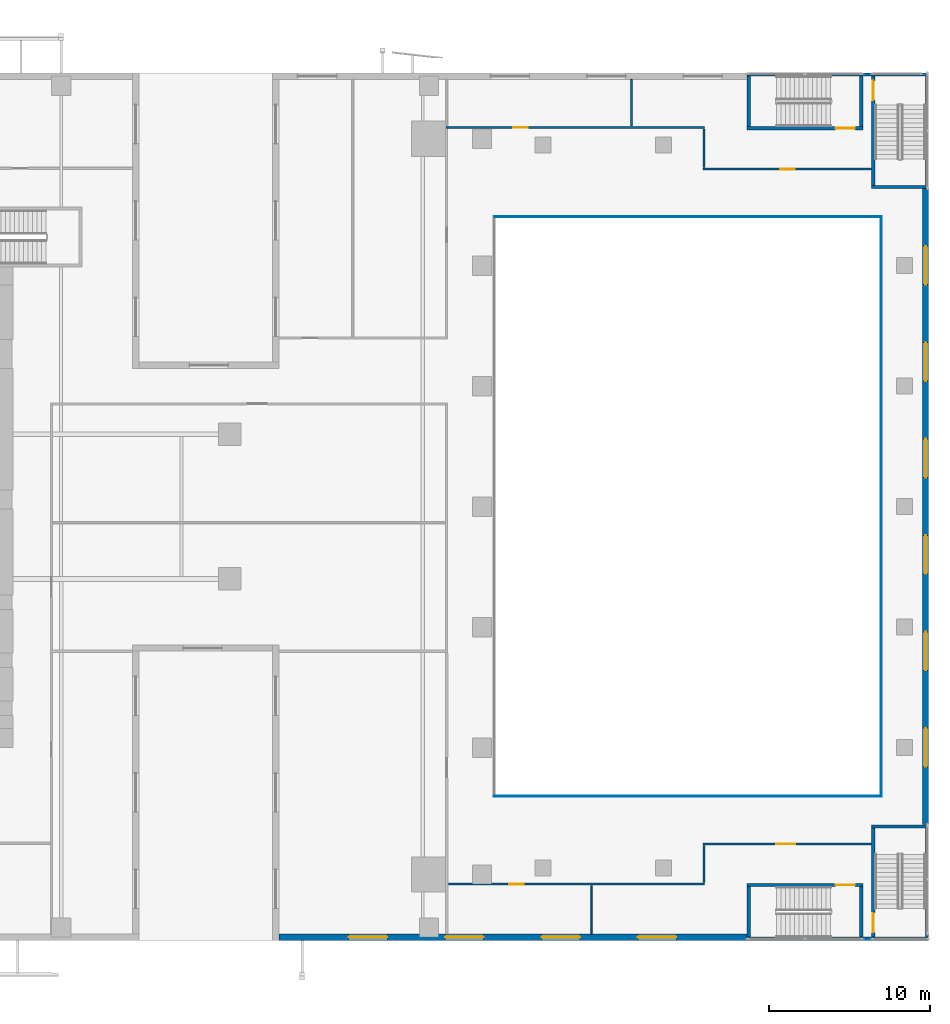
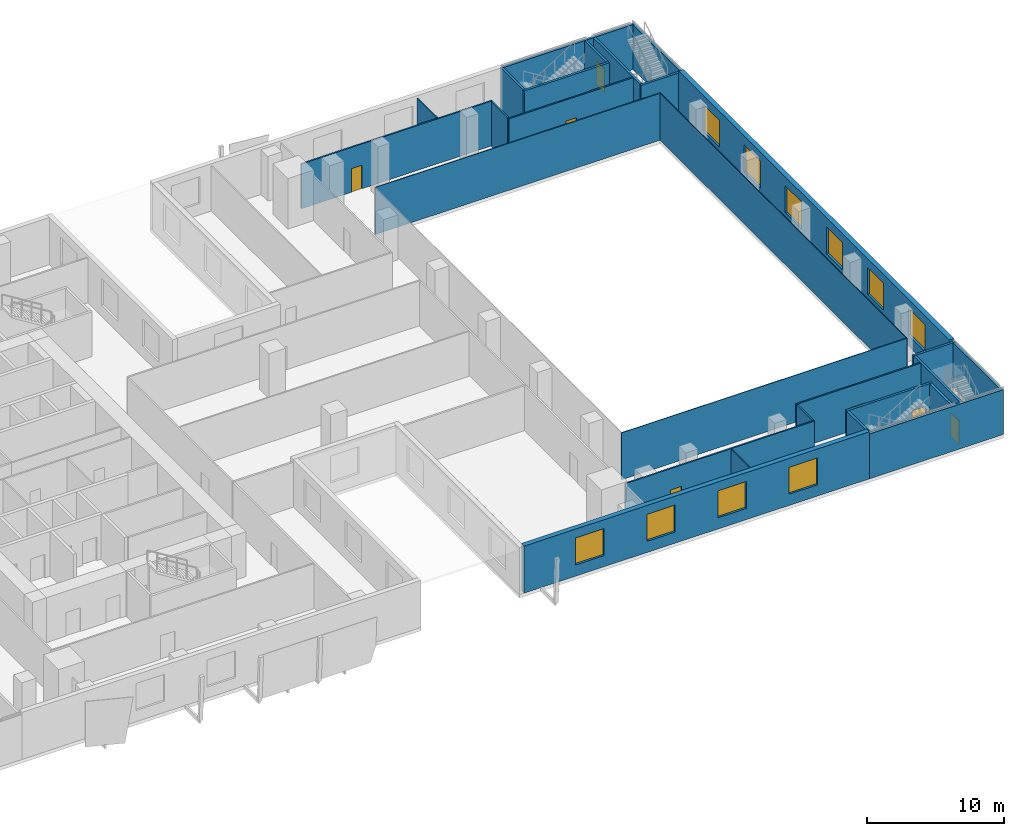
# One storey, part 14 of 21: 27 walls, 10 windows, 8 doors, 18 openings.
"""IFC4 building model written with IfcOpenShell, lengths in metres."""

from ifc_helpers import new_model, si_unit, direction, frame, frame_2d, origin, place, context, subcontext, project, spatial, rectangle, extrude, source, transform, mapped, material, layer, layer_set, type_object, element, fill, save


model = new_model("IFC4")

# Units and contexts
model_context = context("Model", 3, precision=1e-05, world=origin(), true_north=direction((0.0, 1.0)))
body_context = subcontext(model_context, "Body", "Model", "MODEL_VIEW")
ifc_project = project(units=[si_unit("LENGTHUNIT", "METRE"), si_unit("AREAUNIT", "SQUARE_METRE"), si_unit("VOLUMEUNIT", "CUBIC_METRE"), si_unit("PLANEANGLEUNIT", "RADIAN"), si_unit("MASSUNIT", "GRAM", prefix="KILO")], contexts=[model_context])

# Site, building, storey
site_placement = place(None, origin())
site = spatial("IfcSite", under=ifc_project, at=site_placement, CompositionType="ELEMENT")
building_placement = place(site_placement, origin())
building = spatial("IfcBuilding", under=site, at=building_placement, Name="Khomas Fold Tower", CompositionType="ELEMENT")
storey_placement = place(building_placement, frame((0.0, 0.0, 28.5)))
storey = spatial("IfcBuildingStorey", under=building, at=storey_placement, Name="L05", CompositionType="ELEMENT", Elevation=28.5)

# Wall, openings, windows
ifc_material_1 = material(Name="Concrete C40/50", Category="concrete")
ifc_layer_1 = layer(ifc_material_1, 0.39990234375)
ifc_layer_set_1 = layer_set([ifc_layer_1], Name="Concrete C40/50")
wall_type_1 = type_object("IfcWallType", Name="Stone-clad concrete wall 400", PredefinedType="SOLIDWALL", material=ifc_layer_set_1)
shared_shape_1 = source(origin(), body_context, "Body", "SweptSolid", [
    extrude(rectangle(XDim=29.139892578125, YDim=0.39990234375, at=frame_2d((14.56982421875, 0.0))), origin(), (0.0, 0.0, 1.0), 4.199951171875),
])
wall_1_placement = place(storey_placement, frame((40.550048828125, 0.199951171875, 0.0), z_axis=(0.0, 0.0, 1.0), x_axis=(1.0, 0.0, 0.0)))
wall_1 = element("IfcWall", 1, at=wall_1_placement, inside=storey, type_object=wall_type_1, Name="Podium wall", PredefinedType="SOLIDWALL", context=body_context, shape_type="MappedRepresentation", body=[
    mapped(shared_shape_1, transform((0.0, 0.0, 0.0))),
])
shared_shape_2 = source(origin(), body_context, "Body", "SweptSolid", [
    extrude(rectangle(XDim=2.39990234375, YDim=2.39990234375, at=frame_2d((1.199951171875, 1.199951171875))), frame((0.0, 0.2099609375, 0.0), z_axis=(0.0, -1.0, 0.0), x_axis=(1.0, 0.0, 0.0)), (0.0, 0.0, 1.0), 0.419921875),
])
opening_1_placement = place(wall_1_placement, frame((4.35009765625, 0.0, 1.0)))
opening_1 = element("IfcOpeningElement", 2, at=opening_1_placement, cuts=wall_1, Name="Opening PD-WN", PredefinedType="OPENING", context=body_context, shape_type="MappedRepresentation", body=[
    mapped(shared_shape_2, transform((0.0, 0.0, 0.0))),
])
opening_2_placement = place(wall_1_placement, frame((10.35009765625, 0.0, 1.0)))
opening_2 = element("IfcOpeningElement", 3, at=opening_2_placement, cuts=wall_1, Name="Opening PD-WN", PredefinedType="OPENING", context=body_context, shape_type="MappedRepresentation", body=[
    mapped(shared_shape_2, transform((0.0, 0.0, 0.0))),
])
opening_3_placement = place(wall_1_placement, frame((16.35009765625, 0.0, 1.0)))
opening_3 = element("IfcOpeningElement", 4, at=opening_3_placement, cuts=wall_1, Name="Opening PD-WN", PredefinedType="OPENING", context=body_context, shape_type="MappedRepresentation", body=[
    mapped(shared_shape_2, transform((0.0, 0.0, 0.0))),
])
opening_4_placement = place(wall_1_placement, frame((22.35009765625, 0.0, 1.0)))
opening_4 = element("IfcOpeningElement", 5, at=opening_4_placement, cuts=wall_1, Name="Opening PD-WN", PredefinedType="OPENING", context=body_context, shape_type="MappedRepresentation", body=[
    mapped(shared_shape_2, transform((0.0, 0.0, 0.0))),
])
ifc_material_2 = material(Name="Aluminium framed double glazing", Category="aluminium")
window_type = type_object("IfcWindowType", Name="Podium window 2400 x 2400", PartitioningType="SINGLE_PANEL", PredefinedType="WINDOW", material=ifc_material_2)
shared_shape_3 = source(origin(), body_context, "Body", "SweptSolid", [
    extrude(rectangle(XDim=2.39990234375, YDim=2.39990234375, at=frame_2d((1.199951171875, 1.199951171875))), frame((0.0, 0.030029296875, 0.0), z_axis=(0.0, -1.0, 0.0), x_axis=(1.0, 0.0, 0.0)), (0.0, 0.0, 1.0), 0.06005859375),
])
window_1_placement = place(opening_1_placement, origin())
window_1 = element("IfcWindow", 6, at=window_1_placement, inside=storey, type_object=window_type, Name="Podium window", OverallHeight=2.39990234375, OverallWidth=2.39990234375, PartitioningType="SINGLE_PANEL", PredefinedType="WINDOW", context=body_context, shape_type="MappedRepresentation", body=[
    mapped(shared_shape_3, transform((0.0, 0.0, 0.0))),
])
fill(opening_1, window_1)
window_2_placement = place(opening_2_placement, origin())
window_2 = element("IfcWindow", 7, at=window_2_placement, inside=storey, type_object=window_type, Name="Podium window", OverallHeight=2.39990234375, OverallWidth=2.39990234375, PartitioningType="SINGLE_PANEL", PredefinedType="WINDOW", context=body_context, shape_type="MappedRepresentation", body=[
    mapped(shared_shape_3, transform((0.0, 0.0, 0.0))),
])
fill(opening_2, window_2)
window_3_placement = place(opening_3_placement, origin())
window_3 = element("IfcWindow", 8, at=window_3_placement, inside=storey, type_object=window_type, Name="Podium window", OverallHeight=2.39990234375, OverallWidth=2.39990234375, PartitioningType="SINGLE_PANEL", PredefinedType="WINDOW", context=body_context, shape_type="MappedRepresentation", body=[
    mapped(shared_shape_3, transform((0.0, 0.0, 0.0))),
])
fill(opening_3, window_3)
window_4_placement = place(opening_4_placement, origin())
window_4 = element("IfcWindow", 9, at=window_4_placement, inside=storey, type_object=window_type, Name="Podium window", OverallHeight=2.39990234375, OverallWidth=2.39990234375, PartitioningType="SINGLE_PANEL", PredefinedType="WINDOW", context=body_context, shape_type="MappedRepresentation", body=[
    mapped(shared_shape_3, transform((0.0, 0.0, 0.0))),
])
fill(opening_4, window_4)

shared_shape_4 = source(origin(), body_context, "Body", "SweptSolid", [
    extrude(rectangle(XDim=39.580078125, YDim=0.39990234375, at=frame_2d((19.7900390625, 0.0))), origin(), (0.0, 0.0, 1.0), 4.199951171875),
])
wall_2_placement = place(storey_placement, frame((80.800048828125, 7.2099609375, 0.0), z_axis=(0.0, 0.0, 1.0), x_axis=(0.0, 1.0, 0.0)))
wall_2 = element("IfcWall", 10, at=wall_2_placement, inside=storey, type_object=wall_type_1, Name="Podium wall", PredefinedType="SOLIDWALL", context=body_context, shape_type="MappedRepresentation", body=[
    mapped(shared_shape_4, transform((0.0, 0.0, 0.0))),
])
opening_5_placement = place(wall_2_placement, frame((3.60009765625, 0.0, 1.0)))
opening_5 = element("IfcOpeningElement", 11, at=opening_5_placement, cuts=wall_2, Name="Opening PD-WN", PredefinedType="OPENING", context=body_context, shape_type="MappedRepresentation", body=[
    mapped(shared_shape_2, transform((0.0, 0.0, 0.0))),
])
opening_6_placement = place(wall_2_placement, frame((9.60009765625, 0.0, 1.0)))
opening_6 = element("IfcOpeningElement", 12, at=opening_6_placement, cuts=wall_2, Name="Opening PD-WN", PredefinedType="OPENING", context=body_context, shape_type="MappedRepresentation", body=[
    mapped(shared_shape_2, transform((0.0, 0.0, 0.0))),
])
opening_7_placement = place(wall_2_placement, frame((15.60009765625, 0.0, 1.0)))
opening_7 = element("IfcOpeningElement", 13, at=opening_7_placement, cuts=wall_2, Name="Opening PD-WN", PredefinedType="OPENING", context=body_context, shape_type="MappedRepresentation", body=[
    mapped(shared_shape_2, transform((0.0, 0.0, 0.0))),
])
opening_8_placement = place(wall_2_placement, frame((21.60009765625, 0.0, 1.0)))
opening_8 = element("IfcOpeningElement", 14, at=opening_8_placement, cuts=wall_2, Name="Opening PD-WN", PredefinedType="OPENING", context=body_context, shape_type="MappedRepresentation", body=[
    mapped(shared_shape_2, transform((0.0, 0.0, 0.0))),
])
opening_9_placement = place(wall_2_placement, frame((27.60009765625, 0.0, 1.0)))
opening_9 = element("IfcOpeningElement", 15, at=opening_9_placement, cuts=wall_2, Name="Opening PD-WN", PredefinedType="OPENING", context=body_context, shape_type="MappedRepresentation", body=[
    mapped(shared_shape_2, transform((0.0, 0.0, 0.0))),
])
opening_10_placement = place(wall_2_placement, frame((33.60009765625, 0.0, 1.0)))
opening_10 = element("IfcOpeningElement", 16, at=opening_10_placement, cuts=wall_2, Name="Opening PD-WN", PredefinedType="OPENING", context=body_context, shape_type="MappedRepresentation", body=[
    mapped(shared_shape_2, transform((0.0, 0.0, 0.0))),
])
window_5_placement = place(opening_5_placement, origin())
window_5 = element("IfcWindow", 17, at=window_5_placement, inside=storey, type_object=window_type, Name="Podium window", OverallHeight=2.39990234375, OverallWidth=2.39990234375, PartitioningType="SINGLE_PANEL", PredefinedType="WINDOW", context=body_context, shape_type="MappedRepresentation", body=[
    mapped(shared_shape_3, transform((0.0, 0.0, 0.0))),
])
fill(opening_5, window_5)
window_6_placement = place(opening_6_placement, origin())
window_6 = element("IfcWindow", 18, at=window_6_placement, inside=storey, type_object=window_type, Name="Podium window", OverallHeight=2.39990234375, OverallWidth=2.39990234375, PartitioningType="SINGLE_PANEL", PredefinedType="WINDOW", context=body_context, shape_type="MappedRepresentation", body=[
    mapped(shared_shape_3, transform((0.0, 0.0, 0.0))),
])
fill(opening_6, window_6)
window_7_placement = place(opening_7_placement, origin())
window_7 = element("IfcWindow", 19, at=window_7_placement, inside=storey, type_object=window_type, Name="Podium window", OverallHeight=2.39990234375, OverallWidth=2.39990234375, PartitioningType="SINGLE_PANEL", PredefinedType="WINDOW", context=body_context, shape_type="MappedRepresentation", body=[
    mapped(shared_shape_3, transform((0.0, 0.0, 0.0))),
])
fill(opening_7, window_7)
window_8_placement = place(opening_8_placement, origin())
window_8 = element("IfcWindow", 20, at=window_8_placement, inside=storey, type_object=window_type, Name="Podium window", OverallHeight=2.39990234375, OverallWidth=2.39990234375, PartitioningType="SINGLE_PANEL", PredefinedType="WINDOW", context=body_context, shape_type="MappedRepresentation", body=[
    mapped(shared_shape_3, transform((0.0, 0.0, 0.0))),
])
fill(opening_8, window_8)
window_9_placement = place(opening_9_placement, origin())
window_9 = element("IfcWindow", 21, at=window_9_placement, inside=storey, type_object=window_type, Name="Podium window", OverallHeight=2.39990234375, OverallWidth=2.39990234375, PartitioningType="SINGLE_PANEL", PredefinedType="WINDOW", context=body_context, shape_type="MappedRepresentation", body=[
    mapped(shared_shape_3, transform((0.0, 0.0, 0.0))),
])
fill(opening_9, window_9)
window_10_placement = place(opening_10_placement, origin())
window_10 = element("IfcWindow", 22, at=window_10_placement, inside=storey, type_object=window_type, Name="Podium window", OverallHeight=2.39990234375, OverallWidth=2.39990234375, PartitioningType="SINGLE_PANEL", PredefinedType="WINDOW", context=body_context, shape_type="MappedRepresentation", body=[
    mapped(shared_shape_3, transform((0.0, 0.0, 0.0))),
])
fill(opening_10, window_10)

# Walls
ifc_material_3 = material(Name="Fire-resistant glazing in Steel S355 frame", Category="steel")
ifc_layer_2 = layer(ifc_material_3, 0.06005859375)
ifc_layer_set_2 = layer_set([ifc_layer_2], Name="Fire-resistant glazing in Steel S355 frame")
wall_type_2 = type_object("IfcWallType", Name="Atrium fire screen 60", PredefinedType="STANDARD", material=ifc_layer_set_2)
shared_shape_5 = source(origin(), body_context, "Body", "SweptSolid", [
    extrude(rectangle(XDim=36.06005859375, YDim=0.06005859375, at=frame_2d((18.030029296875, 0.0))), origin(), (0.0, 0.0, 1.0), 4.199951171875),
])
wall_3_placement = place(storey_placement, frame((78.030029296875, 8.93994140625, 0.0), z_axis=(0.0, 0.0, 1.0), x_axis=(0.0, 1.0, 0.0)))
element("IfcWall", 23, at=wall_3_placement, inside=storey, type_object=wall_type_2, Name="Atrium screen", PredefinedType="SOLIDWALL", context=body_context, shape_type="MappedRepresentation", body=[
    mapped(shared_shape_5, transform((0.0, 0.0, 0.0))),
])
shared_shape_6 = source(origin(), body_context, "Body", "SweptSolid", [
    extrude(rectangle(XDim=24.06005859375, YDim=0.06005859375, at=frame_2d((12.030029296875, 0.0))), origin(), (0.0, 0.0, 1.0), 4.199951171875),
])
for number, where, z_axis, x_axis, name in (
    (24, (78.06005859375, 45.030029296875, 0.0), (0.0, 0.0, 1.0), (-1.0, 0.0, 0.0), "Atrium screen"),
    (25, (53.93994140625, 8.969970703125, 0.0), (0.0, 0.0, 1.0), (1.0, 0.0, 0.0), "Atrium screen"),
):
    element("IfcWall", number, at=place(storey_placement, frame(where, z_axis=z_axis, x_axis=x_axis)), inside=storey, type_object=wall_type_2, Name=name, PredefinedType="SOLIDWALL", context=body_context, shape_type="MappedRepresentation", body=[
        mapped(shared_shape_6, transform((0.0, 0.0, 0.0))),
    ])

# Wall, opening, door
ifc_material_4 = material(Name="Concrete C30/37", Category="concrete")
ifc_layer_3 = layer(ifc_material_4, 0.199951171875)
ifc_layer_set_3 = layer_set([ifc_layer_3], Name="Concrete C30/37")
wall_type_3 = type_object("IfcWallType", Name="Stair wall PW5 200", PredefinedType="PARTITIONING", material=ifc_layer_set_3)
shared_shape_7 = source(origin(), body_context, "Body", "SweptSolid", [
    extrude(rectangle(XDim=7.199951171875, YDim=0.199951171875, at=frame_2d((3.60009765625, 0.0))), origin(), (0.0, 0.0, 1.0), 4.0),
])
wall_4_placement = place(storey_placement, frame((69.699951171875, 3.449951171875, 0.0), z_axis=(0.0, 0.0, 1.0), x_axis=(1.0, 0.0, 0.0)))
wall_4 = element("IfcWall", 26, at=wall_4_placement, inside=storey, type_object=wall_type_3, Name="Stair wall", PredefinedType="PARTITIONING", context=body_context, shape_type="MappedRepresentation", body=[
    mapped(shared_shape_7, transform((0.0, 0.0, 0.0))),
])
shared_shape_8 = source(origin(), body_context, "Body", "SweptSolid", [
    extrude(rectangle(XDim=1.199951171875, YDim=2.10009765625, at=frame_2d((0.60009765625, 1.050048828125))), frame((0.0, 0.10986328125, 0.0), z_axis=(0.0, -1.0, 0.0), x_axis=(1.0, 0.0, 0.0)), (0.0, 0.0, 1.0), 0.219970703125),
])
opening_11_placement = place(wall_4_placement, frame((5.5, 0.0, 0.0)))
opening_11 = element("IfcOpeningElement", 27, at=opening_11_placement, cuts=wall_4, Name="Opening 0018", PredefinedType="OPENING", context=body_context, shape_type="MappedRepresentation", body=[
    mapped(shared_shape_8, transform((0.0, 0.0, 0.0))),
])
ifc_material_5 = material(Name="Steel door leaf", Category="steel")
door_type_1 = type_object("IfcDoorType", Name="Stair door 1200x2100 right-hand", OperationType="SINGLE_SWING_RIGHT", PredefinedType="DOOR", material=ifc_material_5)
shared_shape_9 = source(origin(), body_context, "Body", "SweptSolid", [
    extrude(rectangle(XDim=1.199951171875, YDim=2.10009765625, at=frame_2d((0.60009765625, 1.050048828125))), frame((0.0, 0.02490234375, 0.0), z_axis=(0.0, -1.0, 0.0), x_axis=(1.0, 0.0, 0.0)), (0.0, 0.0, 1.0), 0.050048828125),
])
door_1_placement = place(opening_11_placement, origin())
door_1 = element("IfcDoor", 28, at=door_1_placement, inside=storey, type_object=door_type_1, Name="Stair door", OperationType="SINGLE_SWING_RIGHT", OverallHeight=2.10009765625, OverallWidth=1.199951171875, PredefinedType="DOOR", context=body_context, shape_type="MappedRepresentation", body=[
    mapped(shared_shape_9, transform((0.0, 0.0, 0.0))),
])
fill(opening_11, door_1)

wall_5_placement = place(storey_placement, frame((69.699951171875, 50.550048828125, 0.0), z_axis=(0.0, 0.0, 1.0), x_axis=(1.0, 0.0, 0.0)))
wall_5 = element("IfcWall", 29, at=wall_5_placement, inside=storey, type_object=wall_type_3, Name="Stair wall", PredefinedType="PARTITIONING", context=body_context, shape_type="MappedRepresentation", body=[
    mapped(shared_shape_7, transform((0.0, 0.0, 0.0))),
])
opening_12_placement = place(wall_5_placement, frame((5.5, 0.0, 0.0)))
opening_12 = element("IfcOpeningElement", 30, at=opening_12_placement, cuts=wall_5, Name="Opening 0017", PredefinedType="OPENING", context=body_context, shape_type="MappedRepresentation", body=[
    mapped(shared_shape_8, transform((0.0, 0.0, 0.0))),
])
ifc_material_6 = material(Name="Steel door leaf", Category="steel")
door_type_2 = type_object("IfcDoorType", Name="Stair door 1200x2100 left-hand", OperationType="SINGLE_SWING_LEFT", PredefinedType="DOOR", material=ifc_material_6)
door_2_placement = place(opening_12_placement, origin())
door_2 = element("IfcDoor", 31, at=door_2_placement, inside=storey, type_object=door_type_2, Name="Stair door", OperationType="SINGLE_SWING_LEFT", OverallHeight=2.10009765625, OverallWidth=1.199951171875, PredefinedType="DOOR", context=body_context, shape_type="MappedRepresentation", body=[
    mapped(shared_shape_9, transform((0.0, 0.0, 0.0))),
])
fill(opening_12, door_2)

# Walls
shared_shape_10 = source(origin(), body_context, "Body", "SweptSolid", [
    extrude(rectangle(XDim=3.150146484375, YDim=0.199951171875, at=frame_2d((1.5751953125, 0.0))), origin(), (0.0, 0.0, 1.0), 4.0),
])
for number, where, z_axis, x_axis, name in (
    (32, (69.800048828125, 0.199951171875, 0.0), (0.0, 0.0, 1.0), (0.0, 1.0, 0.0), "Stair wall"),
    (33, (76.800048828125, 0.199951171875, 0.0), (0.0, 0.0, 1.0), (0.0, 1.0, 0.0), "Stair wall"),
    (34, (69.800048828125, 50.64990234375, 0.0), (0.0, 0.0, 1.0), (0.0, 1.0, 0.0), "Stair wall"),
    (35, (76.800048828125, 50.64990234375, 0.0), (0.0, 0.0, 1.0), (0.0, 1.0, 0.0), "Stair wall"),
):
    element("IfcWall", number, at=place(storey_placement, frame(where, z_axis=z_axis, x_axis=x_axis)), inside=storey, type_object=wall_type_3, Name=name, PredefinedType="PARTITIONING", context=body_context, shape_type="MappedRepresentation", body=[
        mapped(shared_shape_10, transform((0.0, 0.0, 0.0))),
    ])
shared_shape_11 = source(origin(), body_context, "Body", "SweptSolid", [
    extrude(rectangle(XDim=3.550048828125, YDim=0.199951171875, at=frame_2d((1.77490234375, 0.0))), origin(), (0.0, 0.0, 1.0), 4.0),
])
for number, where, z_axis, x_axis, name in (
    (36, (77.449951171875, 7.10009765625, 0.0), (0.0, 0.0, 1.0), (1.0, 0.0, 0.0), "Stair wall"),
    (37, (77.449951171875, 46.89990234375, 0.0), (0.0, 0.0, 1.0), (1.0, 0.0, 0.0), "Stair wall"),
):
    element("IfcWall", number, at=place(storey_placement, frame(where, z_axis=z_axis, x_axis=x_axis)), inside=storey, type_object=wall_type_3, Name=name, PredefinedType="PARTITIONING", context=body_context, shape_type="MappedRepresentation", body=[
        mapped(shared_shape_11, transform((0.0, 0.0, 0.0))),
    ])

# Wall, opening, door
shared_shape_12 = source(origin(), body_context, "Body", "SweptSolid", [
    extrude(rectangle(XDim=6.800048828125, YDim=0.199951171875, at=frame_2d((3.39990234375, 0.0))), origin(), (0.0, 0.0, 1.0), 4.0),
])
wall_6_placement = place(storey_placement, frame((77.550048828125, 0.199951171875, 0.0), z_axis=(0.0, 0.0, 1.0), x_axis=(0.0, 1.0, 0.0)))
wall_6 = element("IfcWall", 38, at=wall_6_placement, inside=storey, type_object=wall_type_3, Name="Stair wall", PredefinedType="PARTITIONING", context=body_context, shape_type="MappedRepresentation", body=[
    mapped(shared_shape_12, transform((0.0, 0.0, 0.0))),
])
opening_13_placement = place(wall_6_placement, frame((0.300048828125, 0.0, 0.0)))
opening_13 = element("IfcOpeningElement", 39, at=opening_13_placement, cuts=wall_6, Name="Opening 0018", PredefinedType="OPENING", context=body_context, shape_type="MappedRepresentation", body=[
    mapped(shared_shape_8, transform((0.0, 0.0, 0.0))),
])
door_3_placement = place(opening_13_placement, origin())
door_3 = element("IfcDoor", 40, at=door_3_placement, inside=storey, type_object=door_type_1, Name="Stair door", OperationType="SINGLE_SWING_RIGHT", OverallHeight=2.10009765625, OverallWidth=1.199951171875, PredefinedType="DOOR", context=body_context, shape_type="MappedRepresentation", body=[
    mapped(shared_shape_9, transform((0.0, 0.0, 0.0))),
])
fill(opening_13, door_3)

# Wall
wall_7_placement = place(storey_placement, frame((80.89990234375, 0.199951171875, 0.0), z_axis=(0.0, 0.0, 1.0), x_axis=(0.0, 1.0, 0.0)))
element("IfcWall", 41, at=wall_7_placement, inside=storey, type_object=wall_type_3, Name="Stair wall", PredefinedType="PARTITIONING", context=body_context, shape_type="MappedRepresentation", body=[
    mapped(shared_shape_12, transform((0.0, 0.0, 0.0))),
])

# Wall, opening, door
wall_8_placement = place(storey_placement, frame((77.550048828125, 47.0, 0.0), z_axis=(0.0, 0.0, 1.0), x_axis=(0.0, 1.0, 0.0)))
wall_8 = element("IfcWall", 42, at=wall_8_placement, inside=storey, type_object=wall_type_3, Name="Stair wall", PredefinedType="PARTITIONING", context=body_context, shape_type="MappedRepresentation", body=[
    mapped(shared_shape_12, transform((0.0, 0.0, 0.0))),
])
opening_14_placement = place(wall_8_placement, frame((5.300048828125, 0.0, 0.0)))
opening_14 = element("IfcOpeningElement", 43, at=opening_14_placement, cuts=wall_8, Name="Opening 0018", PredefinedType="OPENING", context=body_context, shape_type="MappedRepresentation", body=[
    mapped(shared_shape_8, transform((0.0, 0.0, 0.0))),
])
door_4_placement = place(opening_14_placement, origin())
door_4 = element("IfcDoor", 44, at=door_4_placement, inside=storey, type_object=door_type_1, Name="Stair door", OperationType="SINGLE_SWING_RIGHT", OverallHeight=2.10009765625, OverallWidth=1.199951171875, PredefinedType="DOOR", context=body_context, shape_type="MappedRepresentation", body=[
    mapped(shared_shape_9, transform((0.0, 0.0, 0.0))),
])
fill(opening_14, door_4)

# Walls
wall_9_placement = place(storey_placement, frame((80.89990234375, 47.0, 0.0), z_axis=(0.0, 0.0, 1.0), x_axis=(0.0, 1.0, 0.0)))
element("IfcWall", 45, at=wall_9_placement, inside=storey, type_object=wall_type_3, Name="Stair wall", PredefinedType="PARTITIONING", context=body_context, shape_type="MappedRepresentation", body=[
    mapped(shared_shape_12, transform((0.0, 0.0, 0.0))),
])
shared_shape_13 = source(origin(), body_context, "Body", "SweptSolid", [
    extrude(rectangle(XDim=11.300048828125, YDim=0.199951171875, at=frame_2d((5.64990234375, 0.0))), origin(), (0.0, 0.0, 1.0), 4.0),
])
for number, where, z_axis, x_axis, name in (
    (46, (69.699951171875, 0.10009765625, 0.0), (0.0, 0.0, 1.0), (1.0, 0.0, 0.0), "Stair wall"),
    (47, (69.699951171875, 53.89990234375, 0.0), (0.0, 0.0, 1.0), (1.0, 0.0, 0.0), "Stair wall"),
):
    element("IfcWall", number, at=place(storey_placement, frame(where, z_axis=z_axis, x_axis=x_axis)), inside=storey, type_object=wall_type_3, Name=name, PredefinedType="PARTITIONING", context=body_context, shape_type="MappedRepresentation", body=[
        mapped(shared_shape_13, transform((0.0, 0.0, 0.0))),
    ])
ifc_material_7 = material(Name="Plasterboard partition")
ifc_layer_4 = layer(ifc_material_7, 0.10009765625)
ifc_layer_set_4 = layer_set([ifc_layer_4], Name="Plasterboard partition")
wall_type_4 = type_object("IfcWallType", Name="Partition PW1 100", PredefinedType="PARTITIONING", material=ifc_layer_set_4)
shared_shape_14 = source(origin(), body_context, "Body", "SweptSolid", [
    extrude(rectangle(XDim=3.0, YDim=0.10009765625, at=frame_2d((1.5, 0.0))), origin(), (0.0, 0.0, 1.0), 4.0),
])
wall_10_placement = place(storey_placement, frame((60.0, 0.39990234375, 0.0), z_axis=(0.0, 0.0, 1.0), x_axis=(0.0, 1.0, 0.0)))
element("IfcWall", 48, at=wall_10_placement, inside=storey, type_object=wall_type_4, Name="Partition", PredefinedType="PARTITIONING", context=body_context, shape_type="MappedRepresentation", body=[
    mapped(shared_shape_14, transform((0.0, 0.0, 0.0))),
])

# Wall, opening, door
ifc_material_8 = material(Name="Plasterboard partition")
ifc_layer_5 = layer(ifc_material_8, 0.125)
ifc_layer_set_5 = layer_set([ifc_layer_5], Name="Plasterboard partition")
wall_type_5 = type_object("IfcWallType", Name="Partition PW2 125", PredefinedType="PARTITIONING", material=ifc_layer_set_5)
shared_shape_15 = source(origin(), body_context, "Body", "SweptSolid", [
    extrude(rectangle(XDim=15.949951171875, YDim=0.125, at=frame_2d((7.97509765625, 0.0))), origin(), (0.0, 0.0, 1.0), 4.0),
])
wall_11_placement = place(storey_placement, frame((51.10009765625, 3.5, 0.0), z_axis=(0.0, 0.0, 1.0), x_axis=(1.0, 0.0, 0.0)))
wall_11 = element("IfcWall", 49, at=wall_11_placement, inside=storey, type_object=wall_type_5, Name="Partition", PredefinedType="PARTITIONING", context=body_context, shape_type="MappedRepresentation", body=[
    mapped(shared_shape_15, transform((0.0, 0.0, 0.0))),
])
shared_shape_16 = source(origin(), body_context, "Body", "SweptSolid", [
    extrude(rectangle(XDim=0.89990234375, YDim=2.10009765625, at=frame_2d((0.449951171875, 1.050048828125))), frame((0.0, 0.072509765625, 0.0), z_axis=(0.0, -1.0, 0.0), x_axis=(1.0, 0.0, 0.0)), (0.0, 0.0, 1.0), 0.14501953125),
])
opening_15_placement = place(wall_11_placement, frame((3.800048828125, 0.0, 0.0)))
opening_15 = element("IfcOpeningElement", 50, at=opening_15_placement, cuts=wall_11, Name="Opening 0007", PredefinedType="OPENING", context=body_context, shape_type="MappedRepresentation", body=[
    mapped(shared_shape_16, transform((0.0, 0.0, 0.0))),
])
ifc_material_9 = material(Name="Timber door leaf", Category="wood")
door_type_3 = type_object("IfcDoorType", Name="Door 900x2100 left-hand", OperationType="SINGLE_SWING_LEFT", PredefinedType="DOOR", material=ifc_material_9)
shared_shape_17 = source(origin(), body_context, "Body", "SweptSolid", [
    extrude(rectangle(XDim=0.89990234375, YDim=2.10009765625, at=frame_2d((0.449951171875, 1.050048828125))), frame((0.0, 0.02490234375, 0.0), z_axis=(0.0, -1.0, 0.0), x_axis=(1.0, 0.0, 0.0)), (0.0, 0.0, 1.0), 0.050048828125),
])
door_5_placement = place(opening_15_placement, origin())
door_5 = element("IfcDoor", 51, at=door_5_placement, inside=storey, type_object=door_type_3, Name="Door", OperationType="SINGLE_SWING_LEFT", OverallHeight=2.10009765625, OverallWidth=0.89990234375, PredefinedType="DOOR", context=body_context, shape_type="MappedRepresentation", body=[
    mapped(shared_shape_17, transform((0.0, 0.0, 0.0))),
])
fill(opening_15, door_5)

# Wall
shared_shape_18 = source(origin(), body_context, "Body", "SweptSolid", [
    extrude(rectangle(XDim=2.2998046875, YDim=0.125, at=frame_2d((1.14990234375, 0.0))), origin(), (0.0, 0.0, 1.0), 4.0),
])
wall_12_placement = place(storey_placement, frame((67.0, 3.60009765625, 0.0), z_axis=(0.0, 0.0, 1.0), x_axis=(0.0, 1.0, 0.0)))
element("IfcWall", 52, at=wall_12_placement, inside=storey, type_object=wall_type_5, Name="Partition", PredefinedType="PARTITIONING", context=body_context, shape_type="MappedRepresentation", body=[
    mapped(shared_shape_18, transform((0.0, 0.0, 0.0))),
])

# Wall, opening, door
shared_shape_19 = source(origin(), body_context, "Body", "SweptSolid", [
    extrude(rectangle(XDim=10.5, YDim=0.125, at=frame_2d((5.25, 0.0))), origin(), (0.0, 0.0, 1.0), 4.0),
])
wall_13_placement = place(storey_placement, frame((66.949951171875, 6.0, 0.0), z_axis=(0.0, 0.0, 1.0), x_axis=(1.0, 0.0, 0.0)))
wall_13 = element("IfcWall", 53, at=wall_13_placement, inside=storey, type_object=wall_type_5, Name="Partition", PredefinedType="PARTITIONING", context=body_context, shape_type="MappedRepresentation", body=[
    mapped(shared_shape_19, transform((0.0, 0.0, 0.0))),
])
shared_shape_20 = source(origin(), body_context, "Body", "SweptSolid", [
    extrude(rectangle(XDim=1.199951171875, YDim=2.10009765625, at=frame_2d((0.60009765625, 1.050048828125))), frame((0.0, 0.072509765625, 0.0), z_axis=(0.0, -1.0, 0.0), x_axis=(1.0, 0.0, 0.0)), (0.0, 0.0, 1.0), 0.14501953125),
])
opening_16_placement = place(wall_13_placement, frame((4.550048828125, 0.0, 0.0)))
opening_16 = element("IfcOpeningElement", 54, at=opening_16_placement, cuts=wall_13, Name="Opening 0013", PredefinedType="OPENING", context=body_context, shape_type="MappedRepresentation", body=[
    mapped(shared_shape_20, transform((0.0, 0.0, 0.0))),
])
ifc_material_10 = material(Name="Timber door leaf", Category="wood")
door_type_4 = type_object("IfcDoorType", Name="Door 1200x2100 left-hand", OperationType="SINGLE_SWING_LEFT", PredefinedType="DOOR", material=ifc_material_10)
door_6_placement = place(opening_16_placement, origin())
door_6 = element("IfcDoor", 55, at=door_6_placement, inside=storey, type_object=door_type_4, Name="Door", OperationType="SINGLE_SWING_LEFT", OverallHeight=2.10009765625, OverallWidth=1.199951171875, PredefinedType="DOOR", context=body_context, shape_type="MappedRepresentation", body=[
    mapped(shared_shape_9, transform((0.0, 0.0, 0.0))),
])
fill(opening_16, door_6)

wall_14_placement = place(storey_placement, frame((66.949951171875, 48.0, 0.0), z_axis=(0.0, 0.0, 1.0), x_axis=(1.0, 0.0, 0.0)))
wall_14 = element("IfcWall", 56, at=wall_14_placement, inside=storey, type_object=wall_type_5, Name="Partition", PredefinedType="PARTITIONING", context=body_context, shape_type="MappedRepresentation", body=[
    mapped(shared_shape_19, transform((0.0, 0.0, 0.0))),
])
opening_17_placement = place(wall_14_placement, frame((4.800048828125, 0.0, 0.0)))
opening_17 = element("IfcOpeningElement", 57, at=opening_17_placement, cuts=wall_14, Name="Opening 0007", PredefinedType="OPENING", context=body_context, shape_type="MappedRepresentation", body=[
    mapped(shared_shape_16, transform((0.0, 0.0, 0.0))),
])
door_7_placement = place(opening_17_placement, origin())
door_7 = element("IfcDoor", 58, at=door_7_placement, inside=storey, type_object=door_type_3, Name="Door", OperationType="SINGLE_SWING_LEFT", OverallHeight=2.10009765625, OverallWidth=0.89990234375, PredefinedType="DOOR", context=body_context, shape_type="MappedRepresentation", body=[
    mapped(shared_shape_17, transform((0.0, 0.0, 0.0))),
])
fill(opening_17, door_7)

# Wall
shared_shape_21 = source(origin(), body_context, "Body", "SweptSolid", [
    extrude(rectangle(XDim=2.39990234375, YDim=0.125, at=frame_2d((1.199951171875, 0.0))), origin(), (0.0, 0.0, 1.0), 4.0),
])
wall_15_placement = place(storey_placement, frame((67.0, 48.10009765625, 0.0), z_axis=(0.0, 0.0, 1.0), x_axis=(0.0, 1.0, 0.0)))
element("IfcWall", 59, at=wall_15_placement, inside=storey, type_object=wall_type_5, Name="Partition", PredefinedType="PARTITIONING", context=body_context, shape_type="MappedRepresentation", body=[
    mapped(shared_shape_21, transform((0.0, 0.0, 0.0))),
])

# Wall, opening, door
shared_shape_22 = source(origin(), body_context, "Body", "SweptSolid", [
    extrude(rectangle(XDim=16.10009765625, YDim=0.125, at=frame_2d((8.050048828125, 0.0))), origin(), (0.0, 0.0, 1.0), 4.0),
])
wall_16_placement = place(storey_placement, frame((50.949951171875, 50.60009765625, 0.0), z_axis=(0.0, 0.0, 1.0), x_axis=(1.0, 0.0, 0.0)))
wall_16 = element("IfcWall", 60, at=wall_16_placement, inside=storey, type_object=wall_type_5, Name="Partition", PredefinedType="PARTITIONING", context=body_context, shape_type="MappedRepresentation", body=[
    mapped(shared_shape_22, transform((0.0, 0.0, 0.0))),
])
opening_18_placement = place(wall_16_placement, frame((4.199951171875, 0.0, 0.0)))
opening_18 = element("IfcOpeningElement", 61, at=opening_18_placement, cuts=wall_16, Name="Opening 0008", PredefinedType="OPENING", context=body_context, shape_type="MappedRepresentation", body=[
    mapped(shared_shape_16, transform((0.0, 0.0, 0.0))),
])
ifc_material_11 = material(Name="Timber door leaf", Category="wood")
door_type_5 = type_object("IfcDoorType", Name="Door 900x2100 right-hand", OperationType="SINGLE_SWING_RIGHT", PredefinedType="DOOR", material=ifc_material_11)
door_8_placement = place(opening_18_placement, origin())
door_8 = element("IfcDoor", 62, at=door_8_placement, inside=storey, type_object=door_type_5, Name="Door", OperationType="SINGLE_SWING_RIGHT", OverallHeight=2.10009765625, OverallWidth=0.89990234375, PredefinedType="DOOR", context=body_context, shape_type="MappedRepresentation", body=[
    mapped(shared_shape_17, transform((0.0, 0.0, 0.0))),
])
fill(opening_18, door_8)

# Wall
shared_shape_23 = source(origin(), body_context, "Body", "SweptSolid", [
    extrude(rectangle(XDim=2.900146484375, YDim=0.10009765625, at=frame_2d((1.4501953125, 0.0))), origin(), (0.0, 0.0, 1.0), 4.0),
])
wall_17_placement = place(storey_placement, frame((62.5, 50.699951171875, 0.0), z_axis=(0.0, 0.0, 1.0), x_axis=(0.0, 1.0, 0.0)))
element("IfcWall", 63, at=wall_17_placement, inside=storey, type_object=wall_type_4, Name="Partition", PredefinedType="PARTITIONING", context=body_context, shape_type="MappedRepresentation", body=[
    mapped(shared_shape_23, transform((0.0, 0.0, 0.0))),
])

save(model, "model.ifc")
